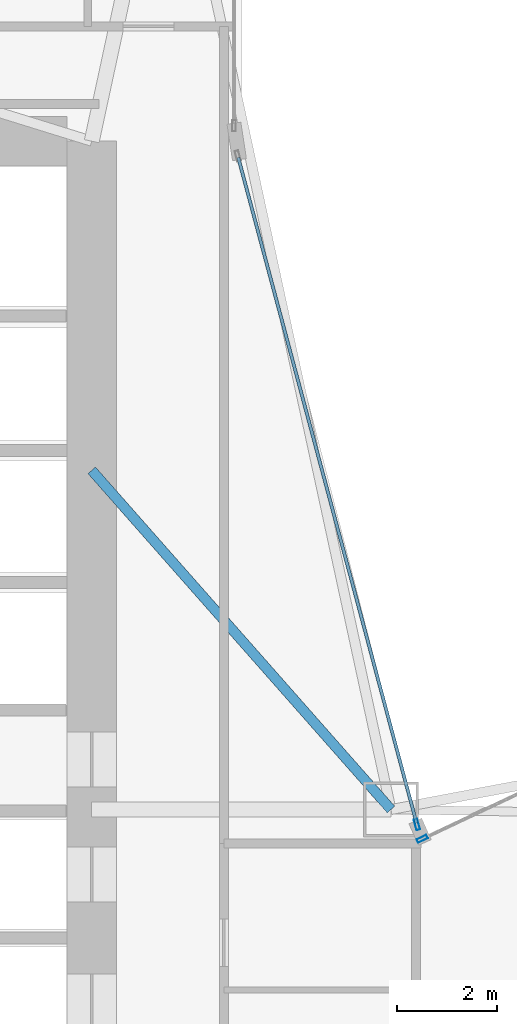
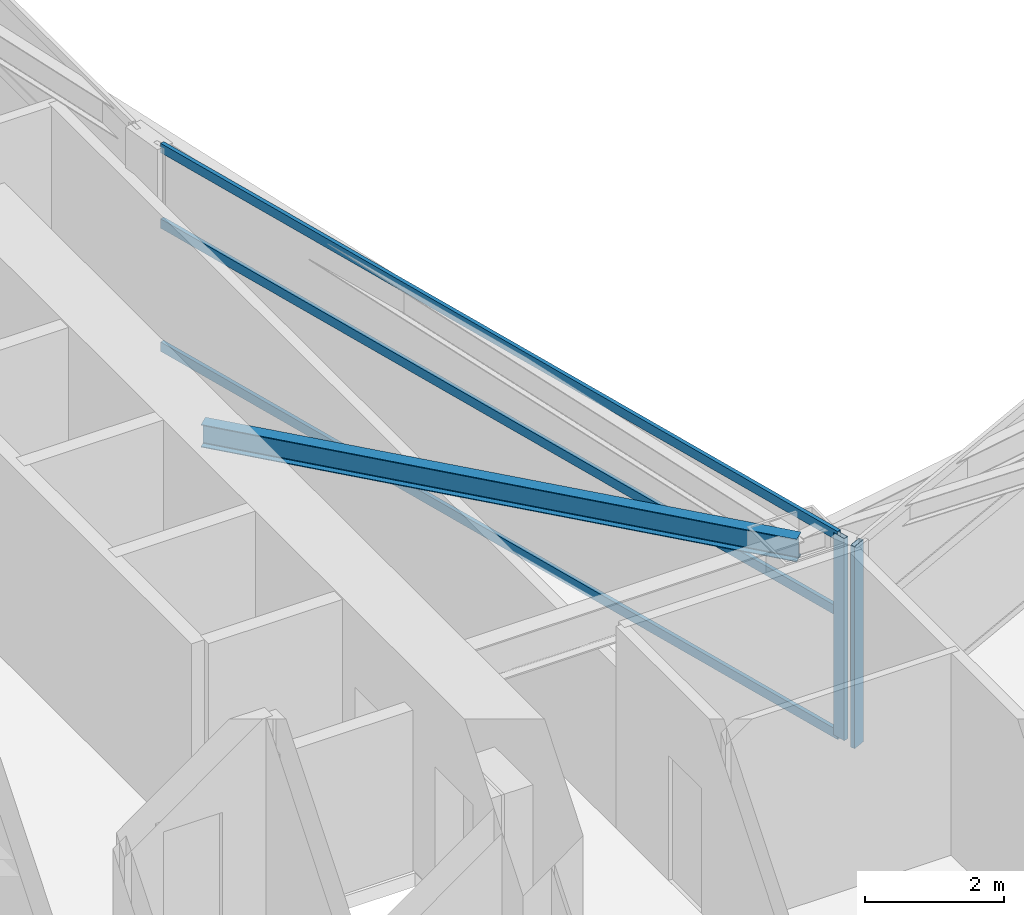
# One storey, part 10 of 30: 5 members, 1 beam, 2 elements without a shape of their own.
"""IFC4 building model written with IfcOpenShell, lengths in metres."""

import ifcopenshell
import ifcopenshell.guid

model = None  # the IFC model being written
_history = None  # IfcOwnerHistory: only IFC2X3 demands one
_inside = {}  # id of a spatial element -> (the spatial element, [elements in it])
_under = {}  # id of a project, library or spatial element -> (it, [spatial elements below it])
_declared = {}  # id of a project -> (the project, [libraries it declares])
_typed = {}  # id of a type object -> (the type object, [elements of that type])
_made_of = {}  # id of a material, layer set ... -> (it, [elements and type objects made of it])


def new_model(schema):
    """Start an empty IFC model of exactly this schema.

    Asked for "IFC4X3", IfcOpenShell would pick the latest addendum, in which some entities
    have other attributes; the version numbers below select the first issue.
    IFC2X3 requires an IfcOwnerHistory on every rooted entity: one is made here for all.
    """
    global model, _history
    if schema == "IFC4X3":
        model = ifcopenshell.file(schema_version=(4, 3, 0, 0))
    else:
        model = ifcopenshell.file(schema=schema)
    _inside.clear()
    _under.clear()
    _declared.clear()
    _typed.clear()
    _made_of.clear()
    _history = None
    if model.schema == "IFC2X3":
        org = make("IfcOrganization", Name="unknown")
        user = make(
            "IfcPersonAndOrganization",
            ThePerson=make("IfcPerson", FamilyName="unknown"),
            TheOrganization=org,
        )
        app = make(
            "IfcApplication",
            ApplicationDeveloper=org,
            Version="unknown",
            ApplicationFullName="unknown",
            ApplicationIdentifier="unknown",
        )
        _history = make(
            "IfcOwnerHistory",
            OwningUser=user,
            OwningApplication=app,
            ChangeAction="ADDED",
            CreationDate=0,
        )
    return model


def make(cls, **values):
    """One entity of the class cls with the attributes given. An attribute that is None is left unset."""
    return model.create_entity(
        cls, **{name: value for name, value in values.items() if value is not None}
    )


def rooted(cls, **values):
    """An entity with a GlobalId (a new one), such as an element, a storey or a relation."""
    return make(cls, GlobalId=ifcopenshell.guid.new(), OwnerHistory=_history, **values)


def si_unit(unit_type, name, prefix=None):
    """IfcSIUnit, for example si_unit("LENGTHUNIT", "METRE", prefix="MILLI")."""
    return make("IfcSIUnit", UnitType=unit_type, Prefix=prefix, Name=name)


def assignment(units):
    """IfcUnitAssignment: the units of a project."""
    return None if units is None else make("IfcUnitAssignment", Units=units)


def point(xyz):
    """IfcCartesianPoint."""
    return None if xyz is None else make("IfcCartesianPoint", Coordinates=xyz)


def direction(xyz):
    """IfcDirection."""
    return None if xyz is None else make("IfcDirection", DirectionRatios=xyz)


def frame(location, z_axis=None, x_axis=None):
    """IfcAxis2Placement3D, a coordinate frame: its origin and axes. An axis left out is left unset."""
    return make(
        "IfcAxis2Placement3D",
        Location=point(location),
        Axis=direction(z_axis),
        RefDirection=direction(x_axis),
    )


def frame_2d(location, x_axis=None):
    """IfcAxis2Placement2D, a coordinate frame in the plane: its origin and x axis."""
    return make(
        "IfcAxis2Placement2D", Location=point(location), RefDirection=direction(x_axis)
    )


def origin():
    """The frame at (0, 0, 0) with its axes left unset."""
    return frame((0.0, 0.0, 0.0))


def origin_2d():
    """The frame at (0, 0) in the plane with its x axis left unset."""
    return frame_2d((0.0, 0.0))


def place(relative_to, where):
    """IfcLocalPlacement: puts the frame where relative to a parent placement (None: the world)."""
    return make(
        "IfcLocalPlacement", PlacementRelTo=relative_to, RelativePlacement=where
    )


def context(
    kind, dimensions, precision=None, world=None, true_north=None, identifier=None
):
    """IfcGeometricRepresentationContext, for example the 3D "Model" context."""
    return make(
        "IfcGeometricRepresentationContext",
        ContextIdentifier=identifier,
        ContextType=kind,
        CoordinateSpaceDimension=dimensions,
        Precision=precision,
        WorldCoordinateSystem=world,
        TrueNorth=true_north,
    )


def subcontext(parent, identifier, kind, view, scale=None):
    """IfcGeometricRepresentationSubContext, for example "Body" below "Model"."""
    return make(
        "IfcGeometricRepresentationSubContext",
        ContextIdentifier=identifier,
        ContextType=kind,
        ParentContext=parent,
        TargetScale=scale,
        TargetView=view,
    )


def project(units=None, contexts=None):
    """IfcProject with its units and contexts."""
    return rooted(
        "IfcProject",
        Name="project",
        RepresentationContexts=contexts,
        UnitsInContext=assignment(units),
    )


def spatial(cls, under=None, at=None, **own):
    """A site, building, storey or space (cls), placed at a placement, below another one or the project."""
    s = rooted(cls, ObjectPlacement=at, **own)
    if under is not None:
        _under.setdefault(under.id(), (under, []))[1].append(s)
    return s


def profile(cls, at=None, kind="AREA", **sizes):
    """A parametric profile (cls). Its sizes go by their IFC names, for example OverallWidth=200.0."""
    return make(cls, ProfileType=kind, Position=at, **sizes)


def hollow_rectangle(**sizes):
    """IfcRectangleHollowProfileDef."""
    return profile("IfcRectangleHollowProfileDef", **sizes)


def i_section(**sizes):
    """IfcIShapeProfileDef."""
    return profile("IfcIShapeProfileDef", **sizes)


def extrude(swept, where, along, depth):
    """IfcExtrudedAreaSolid: the profile swept, set in the frame where, extruded along a direction by depth."""
    return make(
        "IfcExtrudedAreaSolid",
        SweptArea=swept,
        Position=where,
        ExtrudedDirection=direction(along),
        Depth=depth,
    )


def shape(context_of_items, identifier, shape_type, items):
    """IfcShapeRepresentation: the items that make up one representation, for example the "Body"."""
    return make(
        "IfcShapeRepresentation",
        ContextOfItems=context_of_items,
        RepresentationIdentifier=identifier,
        RepresentationType=shape_type,
        Items=items,
    )


def material(Name=None, Category=None):
    """IfcMaterial."""
    return make("IfcMaterial", Name=Name, Category=Category)


def layer(
    of_material, thickness, ventilated=None, Name=None, Category=None, Priority=None
):
    """IfcMaterialLayer: one layer of a wall or slab, of a material (None: an air gap)."""
    return make(
        "IfcMaterialLayer",
        Material=of_material,
        LayerThickness=thickness,
        IsVentilated=ventilated,
        Name=Name,
        Category=Category,
        Priority=Priority,
    )


def layer_set(layers, Name=None):
    """IfcMaterialLayerSet."""
    return make("IfcMaterialLayerSet", MaterialLayers=layers, LayerSetName=Name)


def material_profile(
    of_material, cross_section, Name=None, Category=None, Priority=None
):
    """IfcMaterialProfile: a cross section and its material."""
    return make(
        "IfcMaterialProfile",
        Name=Name,
        Material=of_material,
        Profile=cross_section,
        Priority=Priority,
        Category=Category,
    )


def profile_set(profiles, Name=None, composite=None):
    """IfcMaterialProfileSet."""
    return make(
        "IfcMaterialProfileSet",
        Name=Name,
        MaterialProfiles=profiles,
        CompositeProfile=composite,
    )


def made_of(thing, what):
    """Note that an element or type object is made of a material, layer set ...; save() writes the relation."""
    if what is not None:
        _made_of.setdefault(what.id(), (what, []))[1].append(thing)
    return thing


def type_object(cls, material=None, **own):
    """A type object (cls), such as IfcWallType, which elements share."""
    return made_of(rooted(cls, **own), material)


def element(
    cls,
    number,
    at=None,
    inside=None,
    cuts=None,
    type_object=None,
    material=None,
    context=None,
    identifier="Body",
    shape_type=None,
    held_by="IfcProductDefinitionShape",
    body=None,
    shapes=None,
    **own,
):
    """One element of the class cls, such as IfcWall. Its Tag is "e" and its number.

    at: its placement. inside: the storey or other place that contains it. cuts: it is an
    opening in that element (IfcRelVoidsElement). A single representation is given by context,
    identifier, shape_type and body (its items); several are given by shapes. held_by: the class
    of the entity that holds the representations. save() writes the other relations.
    """
    e = rooted(cls, Tag="e%d" % number, ObjectPlacement=at, **own)
    if body is not None:
        shapes = [shape(context, identifier, shape_type, body)]
    if shapes is not None:
        e.Representation = make(held_by, Representations=shapes)
    if inside is not None:
        _inside.setdefault(inside.id(), (inside, []))[1].append(e)
    if cuts is not None:
        rooted(
            "IfcRelVoidsElement", RelatingBuildingElement=cuts, RelatedOpeningElement=e
        )
    if type_object is not None:
        _typed.setdefault(type_object.id(), (type_object, []))[1].append(e)
    return made_of(e, material)


def aggregate(whole, parts):
    """IfcRelAggregates: a whole, such as a stair, and the parts it consists of."""
    return rooted("IfcRelAggregates", RelatingObject=whole, RelatedObjects=parts)


def save(model, path):
    """Write the relations noted so far, then the file.

    IfcRelAggregates (storeys below a building ...), IfcRelContainedInSpatialStructure (elements
    in a storey), IfcRelDefinesByType, IfcRelAssociatesMaterial and IfcRelDeclares: one each for
    every whole, place, type object, material and project.
    """
    for whole, parts in _under.values():
        aggregate(whole, parts)
    for where, things in _inside.values():
        rooted(
            "IfcRelContainedInSpatialStructure",
            RelatedElements=things,
            RelatingStructure=where,
        )
    for kind, things in _typed.values():
        rooted("IfcRelDefinesByType", RelatedObjects=things, RelatingType=kind)
    for what, things in _made_of.values():
        rooted("IfcRelAssociatesMaterial", RelatedObjects=things, RelatingMaterial=what)
    for by, libraries in _declared.values():
        rooted("IfcRelDeclares", RelatingContext=by, RelatedDefinitions=libraries)
    model.write(path)


model = new_model("IFC4")

# Units and contexts
model_context = context("Model", 3, precision=1e-05, world=origin(), true_north=direction((0.0, 1.0)))
body_context = subcontext(model_context, "Body", "Model", "MODEL_VIEW")
ifc_project = project(units=[si_unit("LENGTHUNIT", "METRE"), si_unit("AREAUNIT", "SQUARE_METRE"), si_unit("VOLUMEUNIT", "CUBIC_METRE"), si_unit("PLANEANGLEUNIT", "RADIAN"), si_unit("MASSUNIT", "GRAM", prefix="KILO")], contexts=[model_context])

# Site, building, storey
site_placement = place(None, origin())
site = spatial("IfcSite", under=ifc_project, at=site_placement, CompositionType="ELEMENT")
building_placement = place(site_placement, origin())
building = spatial("IfcBuilding", under=site, at=building_placement, Name="Calvorn Quay Hotel", CompositionType="ELEMENT")
storey_placement = place(building_placement, frame((0.0, 0.0, 50.800048828125)))
storey = spatial("IfcBuildingStorey", under=building, at=storey_placement, Name="L11", CompositionType="ELEMENT", Elevation=50.800048828125)

# Beam
ifc_material_1 = material(Name="Steel Q355B", Category="steel")
ifc_material_profile_1 = material_profile(ifc_material_1, i_section(OverallWidth=0.199951171875, OverallDepth=0.39990234375, WebThickness=0.008056640625, FlangeThickness=0.012939453125, FilletRadius=0.01611328125, at=origin_2d()), Name="HN400x200x8x13")
ifc_profile_set_1 = profile_set([ifc_material_profile_1], Name="Steel Q355B")
beam_type = type_object("IfcBeamType", Name="BM-JOIST-TYP", PredefinedType="JOIST", material=ifc_profile_set_1)
beam_placement = place(storey_placement, frame((15.0, 31.800048828125, 3.33984375), z_axis=(0.661618965899, -0.749840212287, 0.0), x_axis=(0.749840212287, 0.661618965899, 0.0)))
element("IfcBeam", 1, at=beam_placement, inside=storey, type_object=beam_type, Name="Beam BJ-L11-C1", PredefinedType="JOIST", context=body_context, shape_type="SweptSolid", body=[
    extrude(i_section(OverallWidth=0.199951171875, OverallDepth=0.39990234375, WebThickness=0.008056640625, FlangeThickness=0.012939453125, FilletRadius=0.01611328125, at=origin_2d()), origin(), (0.0, 0.0, 1.0), 9.068603515625),
])

# Curtain wall, member
ifc_material_2 = material(Name="Pale Anodised Aluminium and Low-E Glass", Category="aluminium")
ifc_layer = layer(ifc_material_2, 0.219970703125)
ifc_layer_set = layer_set([ifc_layer], Name="CW-SYS-Z1")
curtain_wall_type = type_object("IfcCurtainWallType", Name="CW-SYS-Z1", PredefinedType="NOTDEFINED", material=ifc_layer_set)
curtain_wall_1_placement = place(storey_placement, origin())
curtain_wall_1 = element("IfcCurtainWall", 2, at=curtain_wall_1_placement, inside=storey, type_object=curtain_wall_type, Name="Inner Court Curtain Wall L11-NE1", PredefinedType="NOTDEFINED")
ifc_material_3 = material(Name="Pale Anodised Aluminium 6063-T6", Category="aluminium")
ifc_material_profile_2 = material_profile(ifc_material_3, hollow_rectangle(XDim=0.074951171875, YDim=0.219970703125, WallThickness=0.00439453125, at=origin_2d()), Name="ALU-M220x75x4.5")
ifc_profile_set_2 = profile_set([ifc_material_profile_2], Name="Pale Anodised Aluminium 6063-T6")
member_type_1 = type_object("IfcMemberType", Name="CW-SYS-Z1-MUL", PredefinedType="MULLION", material=ifc_profile_set_2)
member_1_placement = place(storey_placement, frame((21.627197265625, 24.412841796875, 0.0), z_axis=(0.0, 0.0, 1.0), x_axis=(0.427006305415, -0.904248646743, 0.0)))
member_1 = element("IfcMember", 3, at=member_1_placement, type_object=member_type_1, Name="CW-L11-NE1 mullion 4", PredefinedType="MULLION", context=body_context, shape_type="SweptSolid", body=[
    extrude(hollow_rectangle(XDim=0.074951171875, YDim=0.219970703125, WallThickness=0.00439453125, at=origin_2d()), origin(), (0.0, 0.0, 1.0), 3.56005859375),
])
aggregate(curtain_wall_1, [member_1])

# Curtain wall, members
curtain_wall_2_placement = place(storey_placement, origin())
curtain_wall_2 = element("IfcCurtainWall", 4, at=curtain_wall_2_placement, inside=storey, type_object=curtain_wall_type, Name="Inner Court Curtain Wall L11-IC1", PredefinedType="NOTDEFINED")
member_2_placement = place(storey_placement, frame((21.520263671875, 24.698974609375, 0.0), z_axis=(0.0, 0.0, 1.0), x_axis=(-0.96593652056, -0.25877913024, 0.0)))
member_2 = element("IfcMember", 5, at=member_2_placement, type_object=member_type_1, Name="CW-L11-IC1 mullion 1", PredefinedType="MULLION", context=body_context, shape_type="SweptSolid", body=[
    extrude(hollow_rectangle(XDim=0.074951171875, YDim=0.219970703125, WallThickness=0.00439453125, at=origin_2d()), origin(), (0.0, 0.0, 1.0), 3.56005859375),
])
ifc_material_4 = material(Name="Pale Anodised Aluminium 6063-T6", Category="aluminium")
ifc_material_profile_3 = material_profile(ifc_material_4, hollow_rectangle(XDim=0.06494140625, YDim=0.1650390625, WallThickness=0.00341796875, at=origin_2d()), Name="ALU-T165x65x3.5")
ifc_profile_set_3 = profile_set([ifc_material_profile_3], Name="Pale Anodised Aluminium 6063-T6")
member_type_2 = type_object("IfcMemberType", Name="CW-SYS-Z1-TRN", PredefinedType="USERDEFINED", material=ifc_profile_set_3)
member_3_placement = place(storey_placement, frame((21.512451171875, 24.72802734375, 0.030029296875), z_axis=(-0.258781136883, 0.965935982969, 0.0), x_axis=(-0.965935982969, -0.258781136883, 0.0)))
member_3 = element("IfcMember", 6, at=member_3_placement, type_object=member_type_2, Name="CW-L11-IC1 transom 1.1", ObjectType="TRANSOM", PredefinedType="USERDEFINED", context=body_context, shape_type="SweptSolid", body=[
    extrude(hollow_rectangle(XDim=0.06494140625, YDim=0.1650390625, WallThickness=0.00341796875, at=origin_2d()), origin(), (0.0, 0.0, 1.0), 13.814453125),
])
member_4_placement = place(storey_placement, frame((21.512451171875, 24.72802734375, 2.199951171875), z_axis=(-0.258781136883, 0.965935982969, 0.0), x_axis=(-0.965935982969, -0.258781136883, 0.0)))
member_4 = element("IfcMember", 7, at=member_4_placement, type_object=member_type_2, Name="CW-L11-IC1 transom 1.2", ObjectType="TRANSOM", PredefinedType="USERDEFINED", context=body_context, shape_type="SweptSolid", body=[
    extrude(hollow_rectangle(XDim=0.06494140625, YDim=0.1650390625, WallThickness=0.00341796875, at=origin_2d()), origin(), (0.0, 0.0, 1.0), 13.814453125),
])
member_5_placement = place(storey_placement, frame((21.512451171875, 24.72802734375, 3.530029296875), z_axis=(-0.258781136883, 0.965935982969, 0.0), x_axis=(-0.965935982969, -0.258781136883, 0.0)))
member_5 = element("IfcMember", 8, at=member_5_placement, type_object=member_type_2, Name="CW-L11-IC1 transom 1.3", ObjectType="TRANSOM", PredefinedType="USERDEFINED", context=body_context, shape_type="SweptSolid", body=[
    extrude(hollow_rectangle(XDim=0.06494140625, YDim=0.1650390625, WallThickness=0.00341796875, at=origin_2d()), origin(), (0.0, 0.0, 1.0), 13.814453125),
])
aggregate(curtain_wall_2, [member_2, member_3, member_4, member_5])

save(model, "model.ifc")
